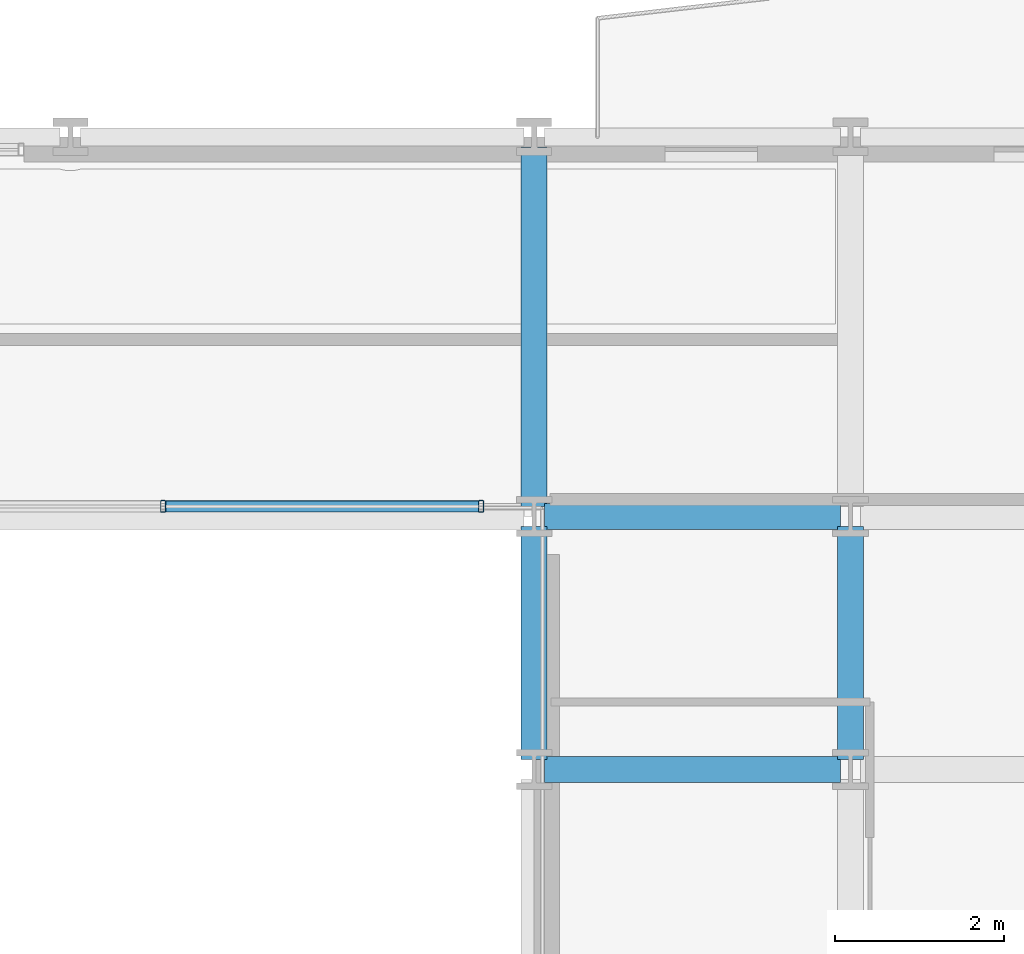
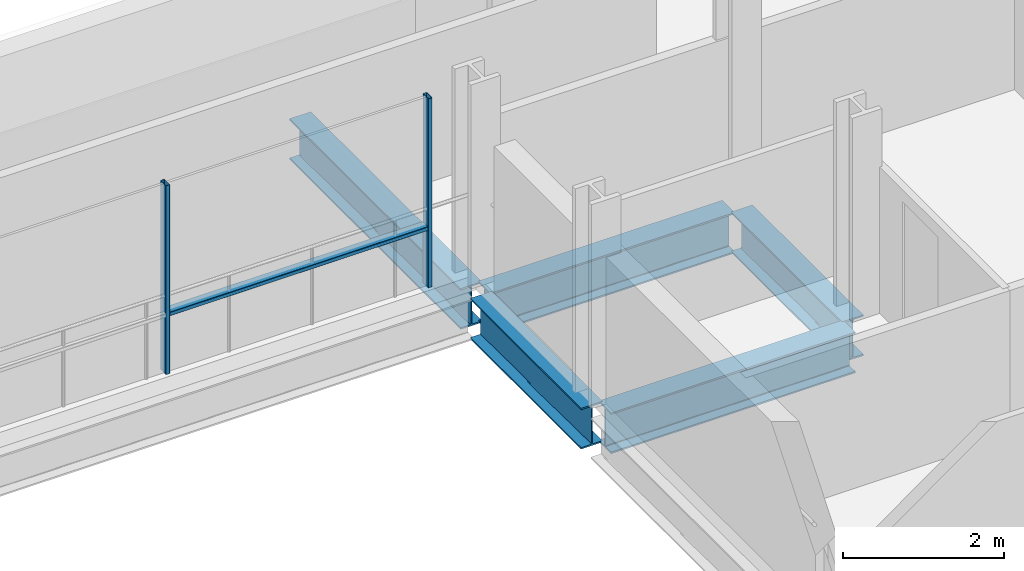
# One storey, part 17 of 40: 5 beams, 3 members, 1 element without a shape of its own.
"""IFC4 building model written with IfcOpenShell, lengths in metres."""

from ifc_helpers import new_model, si_unit, direction, frame, origin, origin_2d, place, context, subcontext, project, spatial, hollow_rectangle, i_section, extrude, material, layer, layer_set, material_profile, profile_set, type_object, element, aggregate, save


model = new_model("IFC4")

# Units and contexts
model_context = context("Model", 3, precision=1e-05, world=origin(), true_north=direction((0.0, 1.0)))
body_context = subcontext(model_context, "Body", "Model", "MODEL_VIEW")
ifc_project = project(units=[si_unit("LENGTHUNIT", "METRE"), si_unit("AREAUNIT", "SQUARE_METRE"), si_unit("VOLUMEUNIT", "CUBIC_METRE"), si_unit("PLANEANGLEUNIT", "RADIAN"), si_unit("MASSUNIT", "GRAM", prefix="KILO")], contexts=[model_context])

# Site, building, storey
site_placement = place(None, origin())
site = spatial("IfcSite", under=ifc_project, at=site_placement, CompositionType="ELEMENT")
building_placement = place(site_placement, origin())
building = spatial("IfcBuilding", under=site, at=building_placement, Name="Brevholm Reach", CompositionType="ELEMENT")
storey_placement = place(building_placement, frame((0.0, 0.0, 37.300048828125)))
storey = spatial("IfcBuildingStorey", under=building, at=storey_placement, Name="L09", CompositionType="ELEMENT", Elevation=37.300048828125)

# Beams
ifc_material_1 = material(Name="Structural Steel S355J2", Category="steel")
ifc_material_profile_1 = material_profile(ifc_material_1, i_section(OverallWidth=0.30712890625, OverallDepth=0.6201171875, WebThickness=0.01416015625, FlangeThickness=0.023681640625, FilletRadius=0.0166015625, at=origin_2d()), Name="UKB 610x305x179")
ifc_profile_set_1 = profile_set([ifc_material_profile_1], Name="Structural Steel S355J2")
beam_type = type_object("IfcBeamType", Name="BM-UKB610H", PredefinedType="USERDEFINED", material=ifc_profile_set_1)
for number, where, z_axis, x_axis, name in (
    (1, (38.3701171875, 23.5, -0.5400390625), (1.0, 0.0, 0.0), (0.0, 1.0, 0.0), "L09 G-06 Framing Beam"),
    (2, (38.3701171875, 26.5, -0.5400390625), (1.0, 0.0, 0.0), (0.0, 1.0, 0.0), "L09 G-06 Framing Beam"),
):
    element("IfcBeam", number, at=place(storey_placement, frame(where, z_axis=z_axis, x_axis=x_axis)), inside=storey, type_object=beam_type, Name=name, ObjectType="GIRDER", PredefinedType="USERDEFINED", context=body_context, shape_type="SweptSolid", body=[
        extrude(i_section(OverallWidth=0.30712890625, OverallDepth=0.6201171875, WebThickness=0.01416015625, FlangeThickness=0.023681640625, FilletRadius=0.0166015625, at=origin_2d()), origin(), (0.0, 0.0, 1.0), 3.509765625),
    ])
beam_1_placement = place(storey_placement, frame((38.25, 23.6201171875, -0.5400390625), z_axis=(0.0, 1.0, 0.0), x_axis=(-1.0, 0.0, 0.0)))
element("IfcBeam", 3, at=beam_1_placement, inside=storey, type_object=beam_type, Name="L09 G-06 Framing Beam", ObjectType="GIRDER", PredefinedType="USERDEFINED", context=body_context, shape_type="SweptSolid", body=[
    extrude(i_section(OverallWidth=0.30712890625, OverallDepth=0.6201171875, WebThickness=0.01416015625, FlangeThickness=0.023681640625, FilletRadius=0.0166015625, at=origin_2d()), origin(), (0.0, 0.0, 1.0), 2.759765625),
])
beam_2_placement = place(storey_placement, frame((38.25, 26.6201171875, -0.5400390625), z_axis=(0.0, 1.0, 0.0), x_axis=(-1.0, 0.0, 0.0)))
element("IfcBeam", 4, at=beam_2_placement, inside=storey, type_object=beam_type, Name="L09 G-06 Framing Beam", ObjectType="GIRDER", PredefinedType="USERDEFINED", context=body_context, shape_type="SweptSolid", body=[
    extrude(i_section(OverallWidth=0.30712890625, OverallDepth=0.6201171875, WebThickness=0.01416015625, FlangeThickness=0.023681640625, FilletRadius=0.0166015625, at=origin_2d()), origin(), (0.0, 0.0, 1.0), 4.259765625),
])
beam_3_placement = place(storey_placement, frame((42.0, 23.6201171875, -0.5400390625), z_axis=(0.0, 1.0, 0.0), x_axis=(-1.0, 0.0, 0.0)))
element("IfcBeam", 5, at=beam_3_placement, inside=storey, type_object=beam_type, Name="L09 G-06 Framing Beam", ObjectType="GIRDER", PredefinedType="USERDEFINED", context=body_context, shape_type="SweptSolid", body=[
    extrude(i_section(OverallWidth=0.30712890625, OverallDepth=0.6201171875, WebThickness=0.01416015625, FlangeThickness=0.023681640625, FilletRadius=0.0166015625, at=origin_2d()), origin(), (0.0, 0.0, 1.0), 2.759765625),
])

# Curtain wall, members
ifc_material_2 = material(Name="Dark Anodised Aluminium 6063-T6 and Solar-Control Glass", Category="aluminium")
ifc_layer = layer(ifc_material_2, 0.139892578125)
ifc_layer_set = layer_set([ifc_layer], Name="Dark Anodised Aluminium 6063-T6 and Solar-Control Glass")
curtain_wall_type = type_object("IfcCurtainWallType", Name="CW-02", PredefinedType="NOTDEFINED", material=ifc_layer_set)
curtain_wall_placement = place(storey_placement, origin())
curtain_wall = element("IfcCurtainWall", 6, at=curtain_wall_placement, inside=storey, type_object=curtain_wall_type, Name="L09 Curtain Wall CW-02", PredefinedType="NOTDEFINED")
ifc_material_3 = material(Name="Dark Anodised Aluminium 6063-T6", Category="aluminium")
ifc_material_profile_2 = material_profile(ifc_material_3, hollow_rectangle(XDim=0.06005859375, YDim=0.139892578125, WallThickness=0.0048828125, InnerFilletRadius=0.0048828125, OuterFilletRadius=0.010009765625, at=origin_2d()), Name="RHS 140x60x5")
ifc_profile_set_2 = profile_set([ifc_material_profile_2], Name="Dark Anodised Aluminium 6063-T6")
member_type_1 = type_object("IfcMemberType", Name="CWM-140", PredefinedType="MULLION", material=ifc_profile_set_2)
member_1_placement = place(storey_placement, frame((37.6201171875, 26.6201171875, 0.0), z_axis=(0.0, 0.0, 1.0), x_axis=(-1.0, 0.0, 0.0)))
member_1 = element("IfcMember", 7, at=member_1_placement, type_object=member_type_1, Name="CM-140 Mullion 1", PredefinedType="MULLION", context=body_context, shape_type="SweptSolid", body=[
    extrude(hollow_rectangle(XDim=0.06005859375, YDim=0.139892578125, WallThickness=0.0048828125, InnerFilletRadius=0.0048828125, OuterFilletRadius=0.010009765625, at=origin_2d()), origin(), (0.0, 0.0, 1.0), 2.869873046875),
])
member_2_placement = place(storey_placement, frame((33.85009765625, 26.6201171875, 0.0), z_axis=(0.0, 0.0, 1.0), x_axis=(-1.0, 0.0, 0.0)))
member_2 = element("IfcMember", 8, at=member_2_placement, type_object=member_type_1, Name="CM-140 Mullion 2", PredefinedType="MULLION", context=body_context, shape_type="SweptSolid", body=[
    extrude(hollow_rectangle(XDim=0.06005859375, YDim=0.139892578125, WallThickness=0.0048828125, InnerFilletRadius=0.0048828125, OuterFilletRadius=0.010009765625, at=origin_2d()), origin(), (0.0, 0.0, 1.0), 2.869873046875),
])
ifc_material_4 = material(Name="Dark Anodised Aluminium 6063-T6", Category="aluminium")
ifc_material_profile_3 = material_profile(ifc_material_4, hollow_rectangle(XDim=0.06005859375, YDim=0.139892578125, WallThickness=0.0048828125, InnerFilletRadius=0.0048828125, OuterFilletRadius=0.010009765625, at=origin_2d()), Name="RHS 140x60x5")
ifc_profile_set_3 = profile_set([ifc_material_profile_3], Name="Dark Anodised Aluminium 6063-T6")
member_type_2 = type_object("IfcMemberType", Name="CWT-140", PredefinedType="NOTDEFINED", material=ifc_profile_set_3)
member_3_placement = place(storey_placement, frame((37.590087890625, 26.6201171875, 0.89990234375), z_axis=(-1.0, 0.0, 0.0), x_axis=(0.0, 0.0, 1.0)))
member_3 = element("IfcMember", 9, at=member_3_placement, type_object=member_type_2, Name="CT-140 Transom 1.1", ObjectType="TRANSOM", PredefinedType="USERDEFINED", context=body_context, shape_type="SweptSolid", body=[
    extrude(hollow_rectangle(XDim=0.06005859375, YDim=0.139892578125, WallThickness=0.0048828125, InnerFilletRadius=0.0048828125, OuterFilletRadius=0.010009765625, at=origin_2d()), origin(), (0.0, 0.0, 1.0), 3.710205078125),
])
aggregate(curtain_wall, [member_1, member_2, member_3])

save(model, "model.ifc")
